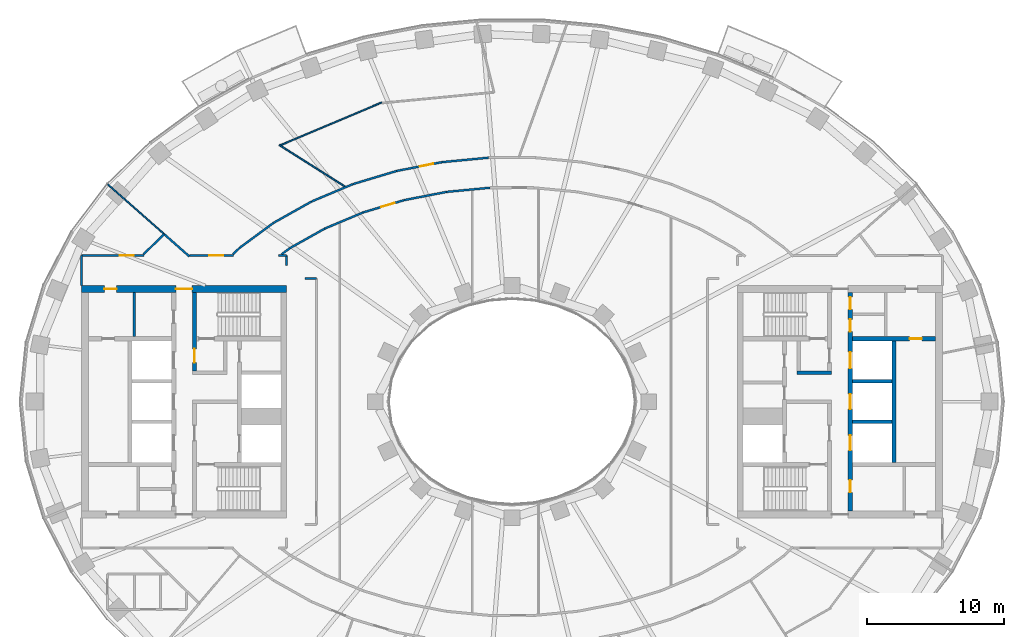
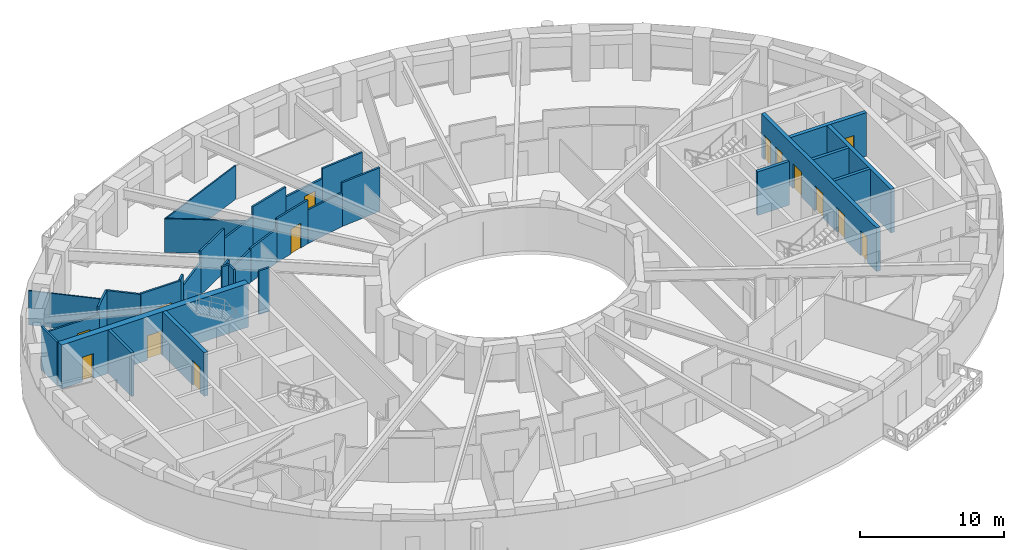
# One storey, part 6 of 16: 33 walls, 14 doors, 14 openings.
"""IFC4 building model written with IfcOpenShell, lengths in metres."""

from ifc_helpers import new_model, si_unit, direction, frame, frame_2d, origin, place, context, subcontext, project, spatial, rectangle, extrude, material, layer, layer_set, type_object, element, fill, save


model = new_model("IFC4")

# Units and contexts
model_context = context("Model", 3, precision=1e-05, world=origin(), true_north=direction((0.0, 1.0)))
body_context = subcontext(model_context, "Body", "Model", "MODEL_VIEW")
ifc_project = project(units=[si_unit("LENGTHUNIT", "METRE"), si_unit("AREAUNIT", "SQUARE_METRE"), si_unit("VOLUMEUNIT", "CUBIC_METRE"), si_unit("PLANEANGLEUNIT", "RADIAN"), si_unit("MASSUNIT", "GRAM", prefix="KILO")], contexts=[model_context])

# Site, building, storey
site_placement = place(None, origin())
site = spatial("IfcSite", under=ifc_project, at=site_placement, CompositionType="ELEMENT")
building_placement = place(site_placement, origin())
building = spatial("IfcBuilding", under=site, at=building_placement, Name="Noorbagh Ring Tower", CompositionType="ELEMENT")
storey_placement = place(building_placement, frame((0.0, 0.0, 116.0)))
storey = spatial("IfcBuildingStorey", under=building, at=storey_placement, Name="L26", CompositionType="ELEMENT", Elevation=116.0)

# Walls
ifc_material_1 = material(Name="Gypsum board on steel studs", Category="steel")
ifc_layer_1 = layer(ifc_material_1, 0.199951171875)
ifc_layer_set_1 = layer_set([ifc_layer_1], Name="Gypsum board on steel studs")
wall_type_1 = type_object("IfcWallType", Name="CORE-PARTITION-200", PredefinedType="PARTITIONING", material=ifc_layer_set_1)
wall_1_placement = place(storey_placement, frame((-27.64990234375, 4.75, 0.0), z_axis=(0.0, 0.0, 1.0), x_axis=(0.0, 1.0, 0.0)))
element("IfcWall", 1, at=wall_1_placement, inside=storey, type_object=wall_type_1, Name="Core partition W", PredefinedType="PARTITIONING", context=body_context, shape_type="SweptSolid", body=[
    extrude(rectangle(XDim=3.25, YDim=0.199951171875, at=frame_2d((1.625, 0.0))), origin(), (0.0, 0.0, 1.0), 3.699951171875),
])
ifc_material_2 = material(Name="Concrete C70/85", Category="concrete")
ifc_layer_2 = layer(ifc_material_2, 0.25)
ifc_layer_set_2 = layer_set([ifc_layer_2], Name="Concrete C70/85")
wall_type_2 = type_object("IfcWallType", Name="CORE-WALL-250-C70-85-EI120", PredefinedType="SHEAR", material=ifc_layer_set_2)
for number, where, z_axis, x_axis, name in (
    (2, (24.89990234375, -1.47509765625, 0.0), (0.0, 0.0, 1.0), (1.0, 0.0, 0.0), "Core wall E"),
    (3, (24.89990234375, 1.47509765625, 0.0), (0.0, 0.0, 1.0), (1.0, 0.0, 0.0), "Core wall E"),
):
    element("IfcWall", number, at=place(storey_placement, frame(where, z_axis=z_axis, x_axis=x_axis)), inside=storey, type_object=wall_type_2, Name=name, PredefinedType="SHEAR", context=body_context, shape_type="SweptSolid", body=[
        extrude(rectangle(XDim=2.900146484375, YDim=0.25, at=frame_2d((1.4501953125, 0.0))), origin(), (0.0, 0.0, 1.0), 3.699951171875),
    ])
ifc_material_3 = material(Name="Concrete C70/85", Category="concrete")
ifc_layer_3 = layer(ifc_material_3, 0.25)
ifc_layer_set_3 = layer_set([ifc_layer_3], Name="Concrete C70/85")
wall_type_3 = type_object("IfcWallType", Name="CORE-WALL-250-C70-85-EI240", PredefinedType="SHEAR", material=ifc_layer_set_3)
wall_2_placement = place(storey_placement, frame((20.85009765625, 2.125, 0.0), z_axis=(0.0, 0.0, 1.0), x_axis=(1.0, 0.0, 0.0)))
element("IfcWall", 4, at=wall_2_placement, inside=storey, type_object=wall_type_3, Name="Core wall E", PredefinedType="SHEAR", context=body_context, shape_type="SweptSolid", body=[
    extrude(rectangle(XDim=2.52978515625, YDim=0.25, at=frame_2d((1.264892578125, 0.0))), origin(), (0.0, 0.0, 1.0), 3.699951171875),
])
ifc_material_4 = material(Name="Concrete C70/85", Category="concrete")
ifc_layer_4 = layer(ifc_material_4, 0.300048828125)
ifc_layer_set_4 = layer_set([ifc_layer_4], Name="Concrete C70/85")
wall_type_4 = type_object("IfcWallType", Name="CORE-WALL-300-C70-85-EI120", PredefinedType="SHEAR", material=ifc_layer_set_4)
wall_3_placement = place(storey_placement, frame((27.949951171875, -4.449951171875, 0.0), z_axis=(0.0, 0.0, 1.0), x_axis=(0.0, 1.0, 0.0)))
element("IfcWall", 5, at=wall_3_placement, inside=storey, type_object=wall_type_4, Name="Core wall E", PredefinedType="SHEAR", context=body_context, shape_type="SweptSolid", body=[
    extrude(rectangle(XDim=8.89990234375, YDim=0.300048828125, at=frame_2d((4.449951171875, 0.0))), origin(), (0.0, 0.0, 1.0), 3.699951171875),
])

# Wall, openings, doors
wall_4_placement = place(storey_placement, frame((24.75, -8.0, 0.0), z_axis=(0.0, 0.0, 1.0), x_axis=(0.0, 1.0, 0.0)))
wall_4 = element("IfcWall", 6, at=wall_4_placement, inside=storey, type_object=wall_type_4, Name="Core wall E", PredefinedType="SHEAR", context=body_context, shape_type="SweptSolid", body=[
    extrude(rectangle(XDim=16.0, YDim=0.300048828125, at=frame_2d((8.0, 0.0))), origin(), (0.0, 0.0, 1.0), 3.699951171875),
])
opening_1_placement = place(wall_4_placement, frame((4.425048828125, 0.0, 0.0)))
opening_1 = element("IfcOpeningElement", 7, at=opening_1_placement, cuts=wall_4, Name="Opening L26-CE02", PredefinedType="OPENING", context=body_context, shape_type="SweptSolid", body=[
    extrude(rectangle(XDim=1.10009765625, YDim=2.10009765625, at=frame_2d((0.550048828125, 1.050048828125))), frame((0.0, 0.16015625, 0.0), z_axis=(0.0, -1.0, 0.0), x_axis=(1.0, 0.0, 0.0)), (0.0, 0.0, 1.0), 0.320068359375),
])
opening_2_placement = place(wall_4_placement, frame((7.449951171875, 0.0, 0.0)))
opening_2 = element("IfcOpeningElement", 8, at=opening_2_placement, cuts=wall_4, Name="Opening L26-CE03", PredefinedType="OPENING", context=body_context, shape_type="SweptSolid", body=[
    extrude(rectangle(XDim=1.10009765625, YDim=2.10009765625, at=frame_2d((0.550048828125, 1.050048828125))), frame((0.0, 0.16015625, 0.0), z_axis=(0.0, -1.0, 0.0), x_axis=(1.0, 0.0, 0.0)), (0.0, 0.0, 1.0), 0.320068359375),
])
opening_3_placement = place(wall_4_placement, frame((10.425048828125, 0.0, 0.0)))
opening_3 = element("IfcOpeningElement", 9, at=opening_3_placement, cuts=wall_4, Name="Opening L26-CE04", PredefinedType="OPENING", context=body_context, shape_type="SweptSolid", body=[
    extrude(rectangle(XDim=1.199951171875, YDim=2.10009765625, at=frame_2d((0.60009765625, 1.050048828125))), frame((0.0, 0.16015625, 0.0), z_axis=(0.0, -1.0, 0.0), x_axis=(1.0, 0.0, 0.0)), (0.0, 0.0, 1.0), 0.320068359375),
])
opening_4_placement = place(wall_4_placement, frame((13.125, 0.0, 0.0)))
opening_4 = element("IfcOpeningElement", 10, at=opening_4_placement, cuts=wall_4, Name="Opening L26-CE13", PredefinedType="OPENING", context=body_context, shape_type="SweptSolid", body=[
    extrude(rectangle(XDim=0.89990234375, YDim=2.10009765625, at=frame_2d((0.449951171875, 1.050048828125))), frame((0.0, 0.16015625, 0.0), z_axis=(0.0, -1.0, 0.0), x_axis=(1.0, 0.0, 0.0)), (0.0, 0.0, 1.0), 0.320068359375),
])
opening_5_placement = place(wall_4_placement, frame((14.75, 0.0, 0.0)))
opening_5 = element("IfcOpeningElement", 11, at=opening_5_placement, cuts=wall_4, Name="Opening L26-CE14", PredefinedType="OPENING", context=body_context, shape_type="SweptSolid", body=[
    extrude(rectangle(XDim=0.89990234375, YDim=2.10009765625, at=frame_2d((0.449951171875, 1.050048828125))), frame((0.0, 0.16015625, 0.0), z_axis=(0.0, -1.0, 0.0), x_axis=(1.0, 0.0, 0.0)), (0.0, 0.0, 1.0), 0.320068359375),
])
opening_6_placement = place(wall_4_placement, frame((1.35009765625, 0.0, 0.0)))
opening_6 = element("IfcOpeningElement", 12, at=opening_6_placement, cuts=wall_4, Name="Opening L26-CE16", PredefinedType="OPENING", context=body_context, shape_type="SweptSolid", body=[
    extrude(rectangle(XDim=0.89990234375, YDim=2.10009765625, at=frame_2d((0.449951171875, 1.050048828125))), frame((0.0, 0.16015625, 0.0), z_axis=(0.0, -1.0, 0.0), x_axis=(1.0, 0.0, 0.0)), (0.0, 0.0, 1.0), 0.320068359375),
])
ifc_material_5 = material(Name="Steel door leaf", Category="steel")
door_type_1 = type_object("IfcDoorType", Name="CORE-DOOR-DROOM", OperationType="SINGLE_SWING_LEFT", PredefinedType="DOOR", material=ifc_material_5)
door_1_placement = place(opening_4_placement, origin())
door_1 = element("IfcDoor", 13, at=door_1_placement, inside=storey, type_object=door_type_1, Name="Core room door L26-CE13", OperationType="SINGLE_SWING_RIGHT", OverallHeight=2.10009765625, OverallWidth=0.89990234375, PredefinedType="DOOR", context=body_context, shape_type="SweptSolid", body=[
    extrude(rectangle(XDim=0.89990234375, YDim=2.10009765625, at=frame_2d((0.449951171875, 1.050048828125))), frame((0.0, 0.02490234375, 0.0), z_axis=(0.0, -1.0, 0.0), x_axis=(1.0, 0.0, 0.0)), (0.0, 0.0, 1.0), 0.050048828125),
])
fill(opening_4, door_1)
door_2_placement = place(opening_5_placement, origin())
door_2 = element("IfcDoor", 14, at=door_2_placement, inside=storey, type_object=door_type_1, Name="Core room door L26-CE14", OperationType="SINGLE_SWING_LEFT", OverallHeight=2.10009765625, OverallWidth=0.89990234375, PredefinedType="DOOR", context=body_context, shape_type="SweptSolid", body=[
    extrude(rectangle(XDim=0.89990234375, YDim=2.10009765625, at=frame_2d((0.449951171875, 1.050048828125))), frame((0.0, 0.02490234375, 0.0), z_axis=(0.0, -1.0, 0.0), x_axis=(1.0, 0.0, 0.0)), (0.0, 0.0, 1.0), 0.050048828125),
])
fill(opening_5, door_2)
door_3_placement = place(opening_6_placement, origin())
door_3 = element("IfcDoor", 15, at=door_3_placement, inside=storey, type_object=door_type_1, Name="Core room door L26-CE16", OperationType="SINGLE_SWING_RIGHT", OverallHeight=2.10009765625, OverallWidth=0.89990234375, PredefinedType="DOOR", context=body_context, shape_type="SweptSolid", body=[
    extrude(rectangle(XDim=0.89990234375, YDim=2.10009765625, at=frame_2d((0.449951171875, 1.050048828125))), frame((0.0, 0.02490234375, 0.0), z_axis=(0.0, -1.0, 0.0), x_axis=(1.0, 0.0, 0.0)), (0.0, 0.0, 1.0), 0.050048828125),
])
fill(opening_6, door_3)
ifc_material_6 = material(Name="Steel door leaf", Category="steel")
door_type_2 = type_object("IfcDoorType", Name="CORE-DOOR-LD", OperationType="DOUBLE_DOOR_SLIDING", PredefinedType="DOOR", material=ifc_material_6)
door_4_placement = place(opening_1_placement, origin())
door_4 = element("IfcDoor", 16, at=door_4_placement, inside=storey, type_object=door_type_2, Name="Landing door LR3 L26-CE02", OperationType="DOUBLE_DOOR_SLIDING", OverallHeight=2.10009765625, OverallWidth=1.10009765625, PredefinedType="DOOR", context=body_context, shape_type="SweptSolid", body=[
    extrude(rectangle(XDim=1.10009765625, YDim=2.10009765625, at=frame_2d((0.550048828125, 1.050048828125))), frame((0.0, 0.02490234375, 0.0), z_axis=(0.0, -1.0, 0.0), x_axis=(1.0, 0.0, 0.0)), (0.0, 0.0, 1.0), 0.050048828125),
])
fill(opening_1, door_4)
door_5_placement = place(opening_2_placement, origin())
door_5 = element("IfcDoor", 17, at=door_5_placement, inside=storey, type_object=door_type_2, Name="Landing door LR4 L26-CE03", OperationType="DOUBLE_DOOR_SLIDING", OverallHeight=2.10009765625, OverallWidth=1.10009765625, PredefinedType="DOOR", context=body_context, shape_type="SweptSolid", body=[
    extrude(rectangle(XDim=1.10009765625, YDim=2.10009765625, at=frame_2d((0.550048828125, 1.050048828125))), frame((0.0, 0.02490234375, 0.0), z_axis=(0.0, -1.0, 0.0), x_axis=(1.0, 0.0, 0.0)), (0.0, 0.0, 1.0), 0.050048828125),
])
fill(opening_2, door_5)
ifc_material_7 = material(Name="Steel door leaf", Category="steel")
door_type_3 = type_object("IfcDoorType", Name="CORE-DOOR-LDW", OperationType="DOUBLE_DOOR_SLIDING", PredefinedType="DOOR", material=ifc_material_7)
door_6_placement = place(opening_3_placement, origin())
door_6 = element("IfcDoor", 18, at=door_6_placement, inside=storey, type_object=door_type_3, Name="Landing door SV2 L26-CE04", OperationType="DOUBLE_DOOR_SLIDING", OverallHeight=2.10009765625, OverallWidth=1.199951171875, PredefinedType="DOOR", context=body_context, shape_type="SweptSolid", body=[
    extrude(rectangle(XDim=1.199951171875, YDim=2.10009765625, at=frame_2d((0.60009765625, 1.050048828125))), frame((0.0, 0.02490234375, 0.0), z_axis=(0.0, -1.0, 0.0), x_axis=(1.0, 0.0, 0.0)), (0.0, 0.0, 1.0), 0.050048828125),
])
fill(opening_3, door_6)

# Wall, opening, door
ifc_material_8 = material(Name="Concrete C70/85", Category="concrete")
ifc_layer_5 = layer(ifc_material_8, 0.300048828125)
ifc_layer_set_5 = layer_set([ifc_layer_5], Name="Concrete C70/85")
wall_type_5 = type_object("IfcWallType", Name="CORE-WALL-300-C70-85-EI240", PredefinedType="SHEAR", material=ifc_layer_set_5)
wall_5_placement = place(storey_placement, frame((-23.22998046875, 2.25, 0.0), z_axis=(0.0, 0.0, 1.0), x_axis=(0.0, 1.0, 0.0)))
wall_5 = element("IfcWall", 19, at=wall_5_placement, inside=storey, type_object=wall_type_5, Name="Core wall W", PredefinedType="SHEAR", context=body_context, shape_type="SweptSolid", body=[
    extrude(rectangle(XDim=5.75, YDim=0.300048828125, at=frame_2d((2.875, 0.0))), origin(), (0.0, 0.0, 1.0), 3.699951171875),
])
opening_7_placement = place(wall_5_placement, frame((0.60009765625, 0.0, 0.0)))
opening_7 = element("IfcOpeningElement", 20, at=opening_7_placement, cuts=wall_5, Name="Opening L26-CW08", PredefinedType="OPENING", context=body_context, shape_type="SweptSolid", body=[
    extrude(rectangle(XDim=1.0, YDim=2.10009765625, at=frame_2d((0.5, 1.050048828125))), frame((0.0, 0.16015625, 0.0), z_axis=(0.0, -1.0, 0.0), x_axis=(1.0, 0.0, 0.0)), (0.0, 0.0, 1.0), 0.320068359375),
])
ifc_material_9 = material(Name="Steel door leaf", Category="steel")
door_type_4 = type_object("IfcDoorType", Name="CORE-DOOR-DVEST", OperationType="SINGLE_SWING_LEFT", PredefinedType="DOOR", material=ifc_material_9)
door_7_placement = place(opening_7_placement, origin())
door_7 = element("IfcDoor", 21, at=door_7_placement, inside=storey, type_object=door_type_4, Name="Stair vestibule door L26-CW08", OperationType="SINGLE_SWING_LEFT", OverallHeight=2.10009765625, OverallWidth=1.0, PredefinedType="DOOR", context=body_context, shape_type="SweptSolid", body=[
    extrude(rectangle(XDim=1.0, YDim=2.10009765625, at=frame_2d((0.5, 1.050048828125))), frame((0.0, 0.02490234375, 0.0), z_axis=(0.0, -1.0, 0.0), x_axis=(1.0, 0.0, 0.0)), (0.0, 0.0, 1.0), 0.050048828125),
])
fill(opening_7, door_7)

wall_6_placement = place(storey_placement, frame((24.89990234375, 4.60009765625, 0.0), z_axis=(0.0, 0.0, 1.0), x_axis=(1.0, 0.0, 0.0)))
wall_6 = element("IfcWall", 22, at=wall_6_placement, inside=storey, type_object=wall_type_5, Name="Core wall E", PredefinedType="SHEAR", context=body_context, shape_type="SweptSolid", body=[
    extrude(rectangle(XDim=6.10009765625, YDim=0.300048828125, at=frame_2d((3.050048828125, 0.0))), origin(), (0.0, 0.0, 1.0), 3.699951171875),
])
opening_8_placement = place(wall_6_placement, frame((4.199951171875, 0.0, 0.0)))
opening_8 = element("IfcOpeningElement", 23, at=opening_8_placement, cuts=wall_6, Name="Opening L26-CE18", PredefinedType="OPENING", context=body_context, shape_type="SweptSolid", body=[
    extrude(rectangle(XDim=0.89990234375, YDim=2.10009765625, at=frame_2d((0.449951171875, 1.050048828125))), frame((0.0, 0.16015625, 0.0), z_axis=(0.0, -1.0, 0.0), x_axis=(1.0, 0.0, 0.0)), (0.0, 0.0, 1.0), 0.320068359375),
])
door_8_placement = place(opening_8_placement, origin())
door_8 = element("IfcDoor", 24, at=door_8_placement, inside=storey, type_object=door_type_1, Name="Core room door L26-CE18", OperationType="SINGLE_SWING_RIGHT", OverallHeight=2.10009765625, OverallWidth=0.89990234375, PredefinedType="DOOR", context=body_context, shape_type="SweptSolid", body=[
    extrude(rectangle(XDim=0.89990234375, YDim=2.10009765625, at=frame_2d((0.449951171875, 1.050048828125))), frame((0.0, 0.02490234375, 0.0), z_axis=(0.0, -1.0, 0.0), x_axis=(1.0, 0.0, 0.0)), (0.0, 0.0, 1.0), 0.050048828125),
])
fill(opening_8, door_8)

# Wall, openings, doors
ifc_material_10 = material(Name="Concrete C70/85", Category="concrete")
ifc_layer_6 = layer(ifc_material_10, 0.5)
ifc_layer_set_6 = layer_set([ifc_layer_6], Name="Concrete C70/85")
wall_type_6 = type_object("IfcWallType", Name="CORE-WALL-500-C70-85-EI240", PredefinedType="SHEAR", material=ifc_layer_set_6)
wall_7_placement = place(storey_placement, frame((-16.5, 8.25, 0.0), z_axis=(0.0, 0.0, 1.0), x_axis=(-1.0, 0.0, 0.0)))
wall_7 = element("IfcWall", 25, at=wall_7_placement, inside=storey, type_object=wall_type_6, Name="Core wall W", PredefinedType="SHEAR", context=body_context, shape_type="SweptSolid", body=[
    extrude(rectangle(XDim=15.0, YDim=0.5, at=frame_2d((7.5, 0.0))), origin(), (0.0, 0.0, 1.0), 3.699951171875),
])
opening_9_placement = place(wall_7_placement, frame((6.89990234375, 0.0, 0.0)))
opening_9 = element("IfcOpeningElement", 26, at=opening_9_placement, cuts=wall_7, Name="Opening L26-CW09", PredefinedType="OPENING", context=body_context, shape_type="SweptSolid", body=[
    extrude(rectangle(XDim=1.199951171875, YDim=2.10009765625, at=frame_2d((0.60009765625, 1.050048828125))), frame((0.0, 0.260009765625, 0.0), z_axis=(0.0, -1.0, 0.0), x_axis=(1.0, 0.0, 0.0)), (0.0, 0.0, 1.0), 0.52001953125),
])
opening_10_placement = place(wall_7_placement, frame((12.425048828125, 0.0, 0.0)))
opening_10 = element("IfcOpeningElement", 27, at=opening_10_placement, cuts=wall_7, Name="Opening L26-CW13", PredefinedType="OPENING", context=body_context, shape_type="SweptSolid", body=[
    extrude(rectangle(XDim=0.89990234375, YDim=2.10009765625, at=frame_2d((0.449951171875, 1.050048828125))), frame((0.0, 0.260009765625, 0.0), z_axis=(0.0, -1.0, 0.0), x_axis=(1.0, 0.0, 0.0)), (0.0, 0.0, 1.0), 0.52001953125),
])
door_9_placement = place(opening_10_placement, origin())
door_9 = element("IfcDoor", 28, at=door_9_placement, inside=storey, type_object=door_type_1, Name="Core room door L26-CW13", OperationType="SINGLE_SWING_RIGHT", OverallHeight=2.10009765625, OverallWidth=0.89990234375, PredefinedType="DOOR", context=body_context, shape_type="SweptSolid", body=[
    extrude(rectangle(XDim=0.89990234375, YDim=2.10009765625, at=frame_2d((0.449951171875, 1.050048828125))), frame((0.0, 0.02490234375, 0.0), z_axis=(0.0, -1.0, 0.0), x_axis=(1.0, 0.0, 0.0)), (0.0, 0.0, 1.0), 0.050048828125),
])
fill(opening_10, door_9)
ifc_material_11 = material(Name="Steel door leaf", Category="steel")
door_type_5 = type_object("IfcDoorType", Name="CORE-DOOR-PORT", OperationType="DOUBLE_DOOR_DOUBLE_SWING", PredefinedType="DOOR", material=ifc_material_11)
door_10_placement = place(opening_9_placement, origin())
door_10 = element("IfcDoor", 29, at=door_10_placement, inside=storey, type_object=door_type_5, Name="Core entrance door L26-CW09", OperationType="DOUBLE_DOOR_DOUBLE_SWING", OverallHeight=2.10009765625, OverallWidth=1.199951171875, PredefinedType="DOOR", context=body_context, shape_type="SweptSolid", body=[
    extrude(rectangle(XDim=1.199951171875, YDim=2.10009765625, at=frame_2d((0.60009765625, 1.050048828125))), frame((0.0, 0.02490234375, 0.0), z_axis=(0.0, -1.0, 0.0), x_axis=(1.0, 0.0, 0.0)), (0.0, 0.0, 1.0), 0.050048828125),
])
fill(opening_9, door_10)

# Wall
ifc_material_12 = material(Name="Gypsum board on steel studs", Category="steel")
ifc_layer_7 = layer(ifc_material_12, 0.14990234375)
ifc_layer_set_7 = layer_set([ifc_layer_7], Name="Gypsum board on steel studs")
wall_type_7 = type_object("IfcWallType", Name="CORRIDOR PARTITION 150 EI 30", PredefinedType="PARTITIONING", material=ifc_layer_set_7)
wall_8_placement = place(storey_placement, frame((-31.5, 8.5, 0.0), z_axis=(0.0, 0.0, 1.0), x_axis=(0.0, 1.0, 0.0)))
element("IfcWall", 30, at=wall_8_placement, inside=storey, type_object=wall_type_7, Name="L26/wall/P04", PredefinedType="PARTITIONING", context=body_context, shape_type="SweptSolid", body=[
    extrude(rectangle(XDim=2.199951171875, YDim=0.14990234375, at=frame_2d((1.10009765625, 0.0))), origin(), (0.0, 0.0, 1.0), 3.699951171875),
])

# Wall, opening, door
wall_9_placement = place(storey_placement, frame((-31.5, 10.699951171875, 0.0), z_axis=(0.0, 0.0, 1.0), x_axis=(1.0, 0.0, 0.0)))
wall_9 = element("IfcWall", 31, at=wall_9_placement, inside=storey, type_object=wall_type_7, Name="L26/wall/P05", PredefinedType="PARTITIONING", context=body_context, shape_type="SweptSolid", body=[
    extrude(rectangle(XDim=4.56298828125, YDim=0.14990234375, at=frame_2d((2.281494140625, 0.0))), origin(), (0.0, 0.0, 1.0), 3.10009765625),
])
opening_11_placement = place(wall_9_placement, frame((2.805908203125, 0.0, 0.0)))
opening_11 = element("IfcOpeningElement", 32, at=opening_11_placement, cuts=wall_9, Name="Opening D1", PredefinedType="OPENING", context=body_context, shape_type="SweptSolid", body=[
    extrude(rectangle(XDim=1.0, YDim=2.10009765625, at=frame_2d((0.5, 1.050048828125))), frame((0.0, 0.0849609375, 0.0), z_axis=(0.0, -1.0, 0.0), x_axis=(1.0, 0.0, 0.0)), (0.0, 0.0, 1.0), 0.169921875),
])
ifc_material_13 = material(Name="Timber, painted", Category="wood")
door_type_6 = type_object("IfcDoorType", Name="DOOR 1000 X 2100 FD30", OperationType="SINGLE_SWING_LEFT", PredefinedType="DOOR", material=ifc_material_13)
door_11_placement = place(opening_11_placement, origin())
door_11 = element("IfcDoor", 33, at=door_11_placement, inside=storey, type_object=door_type_6, Name="L26-D05", OperationType="SINGLE_SWING_LEFT", OverallHeight=2.10009765625, OverallWidth=1.0, PredefinedType="DOOR", context=body_context, shape_type="SweptSolid", body=[
    extrude(rectangle(XDim=1.0, YDim=2.10009765625, at=frame_2d((0.5, 1.050048828125))), frame((0.0, 0.02490234375, 0.0), z_axis=(0.0, -1.0, 0.0), x_axis=(1.0, 0.0, 0.0)), (0.0, 0.0, 1.0), 0.050048828125),
])
fill(opening_11, door_11)

# Walls
wall_10_placement = place(storey_placement, frame((-26.964111328125, 10.777099609375, 0.0), z_axis=(0.0, 0.0, 1.0), x_axis=(0.714923203438, 0.699202984251, 0.0)))
element("IfcWall", 34, at=wall_10_placement, inside=storey, type_object=wall_type_7, Name="L26/wall/P12", PredefinedType="PARTITIONING", context=body_context, shape_type="SweptSolid", body=[
    extrude(rectangle(XDim=2.112060546875, YDim=0.14990234375, at=frame_2d((1.05615234375, 0.0))), origin(), (0.0, 0.0, 1.0), 3.699951171875),
])
wall_11_placement = place(storey_placement, frame((-25.4541015625, 12.25390625, 0.0), z_axis=(0.0, 0.0, 1.0), x_axis=(0.74918446265, -0.662361412617, 0.0)))
element("IfcWall", 35, at=wall_11_placement, inside=storey, type_object=wall_type_7, Name="L26/wall/P15", PredefinedType="PARTITIONING", context=body_context, shape_type="SweptSolid", body=[
    extrude(rectangle(XDim=2.454833984375, YDim=0.14990234375, at=frame_2d((1.2275390625, 0.0))), origin(), (0.0, 0.0, 1.0), 3.699951171875),
])

# Wall, opening, door
wall_12_placement = place(storey_placement, frame((-23.583984375, 10.699951171875, 0.0), z_axis=(0.0, 0.0, 1.0), x_axis=(1.0, 0.0, 0.0)))
wall_12 = element("IfcWall", 36, at=wall_12_placement, inside=storey, type_object=wall_type_7, Name="L26/wall/P17", PredefinedType="PARTITIONING", context=body_context, shape_type="SweptSolid", body=[
    extrude(rectangle(XDim=3.197021484375, YDim=0.14990234375, at=frame_2d((1.5986328125, 0.0))), origin(), (0.0, 0.0, 1.0), 3.699951171875),
])
opening_12_placement = place(wall_12_placement, frame((1.43896484375, 0.0, 0.0)))
opening_12 = element("IfcOpeningElement", 37, at=opening_12_placement, cuts=wall_12, Name="Opening D1", PredefinedType="OPENING", context=body_context, shape_type="SweptSolid", body=[
    extrude(rectangle(XDim=1.0, YDim=2.10009765625, at=frame_2d((0.5, 1.050048828125))), frame((0.0, 0.0849609375, 0.0), z_axis=(0.0, -1.0, 0.0), x_axis=(1.0, 0.0, 0.0)), (0.0, 0.0, 1.0), 0.169921875),
])
door_12_placement = place(opening_12_placement, origin())
door_12 = element("IfcDoor", 38, at=door_12_placement, inside=storey, type_object=door_type_6, Name="L26-D07", OperationType="SINGLE_SWING_LEFT", OverallHeight=2.10009765625, OverallWidth=1.0, PredefinedType="DOOR", context=body_context, shape_type="SweptSolid", body=[
    extrude(rectangle(XDim=1.0, YDim=2.10009765625, at=frame_2d((0.5, 1.050048828125))), frame((0.0, 0.02490234375, 0.0), z_axis=(0.0, -1.0, 0.0), x_axis=(1.0, 0.0, 0.0)), (0.0, 0.0, 1.0), 0.050048828125),
])
fill(opening_12, door_12)

# Walls
wall_13_placement = place(storey_placement, frame((-20.41796875, 10.77490234375, 0.0), z_axis=(0.0, 0.0, 1.0), x_axis=(0.717033879939, 0.697038316751, 0.0)))
element("IfcWall", 39, at=wall_13_placement, inside=storey, type_object=wall_type_7, Name="L26/wall/P20", PredefinedType="PARTITIONING", context=body_context, shape_type="SweptSolid", body=[
    extrude(rectangle(XDim=0.696044921875, YDim=0.14990234375, at=frame_2d((0.34814453125, 0.0))), origin(), (0.0, 0.0, 1.0), 3.699951171875),
])
wall_14_placement = place(storey_placement, frame((-19.9189453125, 11.260009765625, 0.0), z_axis=(0.0, 0.0, 1.0), x_axis=(0.805185638843, 0.593022838516, 0.0)))
element("IfcWall", 40, at=wall_14_placement, inside=storey, type_object=wall_type_7, Name="L26/wall/P21", PredefinedType="PARTITIONING", context=body_context, shape_type="SweptSolid", body=[
    extrude(rectangle(XDim=3.072509765625, YDim=0.14990234375, at=frame_2d((1.5361328125, 0.0))), origin(), (0.0, 0.0, 1.0), 2.75),
])
wall_15_placement = place(storey_placement, frame((-17.445068359375, 13.08203125, 0.0), z_axis=(0.0, 0.0, 1.0), x_axis=(0.872072095629, 0.489377420837, 0.0)))
element("IfcWall", 41, at=wall_15_placement, inside=storey, type_object=wall_type_7, Name="L26/wall/P24", PredefinedType="PARTITIONING", context=body_context, shape_type="SweptSolid", body=[
    extrude(rectangle(XDim=3.187744140625, YDim=0.14990234375, at=frame_2d((1.59375, 0.0))), origin(), (0.0, 0.0, 1.0), 3.699951171875),
])
wall_16_placement = place(storey_placement, frame((-17.094970703125, 10.699951171875, 0.0), z_axis=(0.0, 0.0, 1.0), x_axis=(1.0, 0.0, 0.0)))
element("IfcWall", 42, at=wall_16_placement, inside=storey, type_object=wall_type_7, Name="L26/wall/P29", PredefinedType="PARTITIONING", context=body_context, shape_type="SweptSolid", body=[
    extrude(rectangle(XDim=0.594970703125, YDim=0.14990234375, at=frame_2d((0.29736328125, 0.0))), origin(), (0.0, 0.0, 1.0), 3.699951171875),
])
wall_17_placement = place(storey_placement, frame((-16.866943359375, 10.77490234375, 0.0), z_axis=(0.0, 0.0, 1.0), x_axis=(0.804751563869, 0.593611759023, 0.0)))
element("IfcWall", 43, at=wall_17_placement, inside=storey, type_object=wall_type_7, Name="L26/wall/P30", PredefinedType="PARTITIONING", context=body_context, shape_type="SweptSolid", body=[
    extrude(rectangle(XDim=0.7666015625, YDim=0.14990234375, at=frame_2d((0.38330078125, 0.0))), origin(), (0.0, 0.0, 1.0), 3.699951171875),
])
wall_18_placement = place(storey_placement, frame((-16.5, 9.964111328125, 0.0), z_axis=(0.0, 0.0, 1.0), x_axis=(0.0, 1.0, 0.0)))
element("IfcWall", 44, at=wall_18_placement, inside=storey, type_object=wall_type_7, Name="L26/wall/P32", PredefinedType="PARTITIONING", context=body_context, shape_type="SweptSolid", body=[
    extrude(rectangle(XDim=0.73583984375, YDim=0.14990234375, at=frame_2d((0.367919921875, 0.0))), origin(), (0.0, 0.0, 1.0), 3.699951171875),
])
wall_19_placement = place(storey_placement, frame((-16.25, 11.22998046875, 0.0), z_axis=(0.0, 0.0, 1.0), x_axis=(0.872147381065, 0.489243237767, 0.0)))
element("IfcWall", 45, at=wall_19_placement, inside=storey, type_object=wall_type_7, Name="L26/wall/P34", PredefinedType="PARTITIONING", context=body_context, shape_type="SweptSolid", body=[
    extrude(rectangle(XDim=2.92724609375, YDim=0.14990234375, at=frame_2d((1.463623046875, 0.0))), origin(), (0.0, 0.0, 1.0), 2.75),
])
wall_20_placement = place(storey_placement, frame((-15.134033203125, 9.0, 0.0), z_axis=(0.0, 0.0, 1.0), x_axis=(1.0, 0.0, 0.0)))
element("IfcWall", 46, at=wall_20_placement, inside=storey, type_object=wall_type_7, Name="L26/wall/P36", PredefinedType="PARTITIONING", context=body_context, shape_type="SweptSolid", body=[
    extrude(rectangle(XDim=0.833984375, YDim=0.14990234375, at=frame_2d((0.4169921875, 0.0))), origin(), (0.0, 0.0, 1.0), 3.699951171875),
])
wall_21_placement = place(storey_placement, frame((-14.6650390625, 14.64208984375, 0.0), z_axis=(0.0, 0.0, 1.0), x_axis=(0.921789499058, 0.38769075231, 0.0)))
element("IfcWall", 47, at=wall_21_placement, inside=storey, type_object=wall_type_7, Name="L26/wall/P39", PredefinedType="PARTITIONING", context=body_context, shape_type="SweptSolid", body=[
    extrude(rectangle(XDim=3.2783203125, YDim=0.14990234375, at=frame_2d((1.63916015625, 0.0))), origin(), (0.0, 0.0, 1.0), 2.85009765625),
])
wall_22_placement = place(storey_placement, frame((-13.697021484375, 12.662109375, 0.0), z_axis=(0.0, 0.0, 1.0), x_axis=(0.921751821358, 0.387780324183, 0.0)))
element("IfcWall", 48, at=wall_22_placement, inside=storey, type_object=wall_type_7, Name="L26/wall/P42", PredefinedType="PARTITIONING", context=body_context, shape_type="SweptSolid", body=[
    extrude(rectangle(XDim=3.037841796875, YDim=0.14990234375, at=frame_2d((1.51904296875, 0.0))), origin(), (0.0, 0.0, 1.0), 2.85009765625),
])
wall_23_placement = place(storey_placement, frame((-11.64306640625, 15.9130859375, 0.0), z_axis=(0.0, 0.0, 1.0), x_axis=(0.957584891346, 0.288151307243, 0.0)))
element("IfcWall", 49, at=wall_23_placement, inside=storey, type_object=wall_type_7, Name="L26/wall/P47", PredefinedType="PARTITIONING", context=body_context, shape_type="SweptSolid", body=[
    extrude(rectangle(XDim=3.344970703125, YDim=0.14990234375, at=frame_2d((1.67236328125, 0.0))), origin(), (0.0, 0.0, 1.0), 3.699951171875),
])

# Wall, opening, door
wall_24_placement = place(storey_placement, frame((-10.89697265625, 13.840087890625, 0.0), z_axis=(0.0, 0.0, 1.0), x_axis=(0.957606118849, 0.28808075455, 0.0)))
wall_24 = element("IfcWall", 50, at=wall_24_placement, inside=storey, type_object=wall_type_7, Name="L26/wall/P49", PredefinedType="PARTITIONING", context=body_context, shape_type="SweptSolid", body=[
    extrude(rectangle(XDim=3.116943359375, YDim=0.14990234375, at=frame_2d((1.55859375, 0.0))), origin(), (0.0, 0.0, 1.0), 3.699951171875),
])
opening_13_placement = place(wall_24_placement, frame((1.39990234375, 0.0, 0.0)))
opening_13 = element("IfcOpeningElement", 51, at=opening_13_placement, cuts=wall_24, Name="Opening D1", PredefinedType="OPENING", context=body_context, shape_type="SweptSolid", body=[
    extrude(rectangle(XDim=1.0, YDim=2.10009765625, at=frame_2d((0.5, 1.050048828125))), frame((0.0, 0.0849609375, 0.0), z_axis=(0.0, -1.0, 0.0), x_axis=(1.0, 0.0, 0.0)), (0.0, 0.0, 1.0), 0.169921875),
])
door_13_placement = place(opening_13_placement, origin())
door_13 = element("IfcDoor", 52, at=door_13_placement, inside=storey, type_object=door_type_6, Name="L26-D20", OperationType="SINGLE_SWING_RIGHT", OverallHeight=2.10009765625, OverallWidth=1.0, PredefinedType="DOOR", context=body_context, shape_type="SweptSolid", body=[
    extrude(rectangle(XDim=1.0, YDim=2.10009765625, at=frame_2d((0.5, 1.050048828125))), frame((0.0, 0.02490234375, 0.0), z_axis=(0.0, -1.0, 0.0), x_axis=(1.0, 0.0, 0.0)), (0.0, 0.0, 1.0), 0.050048828125),
])
fill(opening_13, door_13)

wall_25_placement = place(storey_placement, frame((-8.43994140625, 16.876953125, 0.0), z_axis=(0.0, 0.0, 1.0), x_axis=(0.981665220565, 0.190613207134, 0.0)))
wall_25 = element("IfcWall", 53, at=wall_25_placement, inside=storey, type_object=wall_type_7, Name="L26/wall/P52", PredefinedType="PARTITIONING", context=body_context, shape_type="SweptSolid", body=[
    extrude(rectangle(XDim=3.38916015625, YDim=0.14990234375, at=frame_2d((1.694580078125, 0.0))), origin(), (0.0, 0.0, 1.0), 2.85009765625),
])
opening_14_placement = place(wall_25_placement, frame((1.739013671875, 0.0, 0.0)))
opening_14 = element("IfcOpeningElement", 54, at=opening_14_placement, cuts=wall_25, Name="Opening D1", PredefinedType="OPENING", context=body_context, shape_type="SweptSolid", body=[
    extrude(rectangle(XDim=1.0, YDim=2.10009765625, at=frame_2d((0.5, 1.050048828125))), frame((0.0, 0.0849609375, 0.0), z_axis=(0.0, -1.0, 0.0), x_axis=(1.0, 0.0, 0.0)), (0.0, 0.0, 1.0), 0.169921875),
])
door_14_placement = place(opening_14_placement, origin())
door_14 = element("IfcDoor", 55, at=door_14_placement, inside=storey, type_object=door_type_6, Name="L26-D09", OperationType="SINGLE_SWING_LEFT", OverallHeight=2.10009765625, OverallWidth=1.0, PredefinedType="DOOR", context=body_context, shape_type="SweptSolid", body=[
    extrude(rectangle(XDim=1.0, YDim=2.10009765625, at=frame_2d((0.5, 1.050048828125))), frame((0.0, 0.02490234375, 0.0), z_axis=(0.0, -1.0, 0.0), x_axis=(1.0, 0.0, 0.0)), (0.0, 0.0, 1.0), 0.050048828125),
])
fill(opening_14, door_14)

# Walls
wall_26_placement = place(storey_placement, frame((-7.912109375, 14.738037109375, 0.0), z_axis=(0.0, 0.0, 1.0), x_axis=(0.981588545092, 0.191007665145, 0.0)))
element("IfcWall", 56, at=wall_26_placement, inside=storey, type_object=wall_type_7, Name="L26/wall/P54", PredefinedType="PARTITIONING", context=body_context, shape_type="SweptSolid", body=[
    extrude(rectangle(XDim=3.17236328125, YDim=0.14990234375, at=frame_2d((1.586181640625, 0.0))), origin(), (0.0, 0.0, 1.0), 2.85009765625),
])
wall_27_placement = place(storey_placement, frame((-5.113037109375, 17.52294921875, 0.0), z_axis=(0.0, 0.0, 1.0), x_axis=(0.995466844572, 0.095109207532, 0.0)))
element("IfcWall", 57, at=wall_27_placement, inside=storey, type_object=wall_type_7, Name="L26/wall/P56", PredefinedType="PARTITIONING", context=body_context, shape_type="SweptSolid", body=[
    extrude(rectangle(XDim=3.41650390625, YDim=0.14990234375, at=frame_2d((1.708251953125, 0.0))), origin(), (0.0, 0.0, 1.0), 3.699951171875),
])
wall_28_placement = place(storey_placement, frame((-4.798095703125, 15.343994140625, 0.0), z_axis=(0.0, 0.0, 1.0), x_axis=(0.995491705426, 0.09484863957, 0.0)))
element("IfcWall", 58, at=wall_28_placement, inside=storey, type_object=wall_type_7, Name="L26/wall/P58", PredefinedType="PARTITIONING", context=body_context, shape_type="SweptSolid", body=[
    extrude(rectangle(XDim=3.20458984375, YDim=0.14990234375, at=frame_2d((1.602294921875, 0.0))), origin(), (0.0, 0.0, 1.0), 3.699951171875),
])
ifc_material_14 = material(Name="Gypsum board on steel studs", Category="steel")
ifc_layer_8 = layer(ifc_material_14, 0.10009765625)
ifc_layer_set_8 = layer_set([ifc_layer_8], Name="Gypsum board on steel studs")
wall_type_8 = type_object("IfcWallType", Name="PARTITION 100 GYPSUM", PredefinedType="PARTITIONING", material=ifc_layer_set_8)
wall_29_placement = place(storey_placement, frame((-29.569091796875, 15.89501953125, 0.0), z_axis=(0.0, 0.0, 1.0), x_axis=(0.74891259533, -0.662668789484, 0.0)))
element("IfcWall", 59, at=wall_29_placement, inside=storey, type_object=wall_type_8, Name="L26/wall/P09", PredefinedType="PARTITIONING", context=body_context, shape_type="SweptSolid", body=[
    extrude(rectangle(XDim=5.49462890625, YDim=0.10009765625, at=frame_2d((2.747314453125, 0.0))), origin(), (0.0, 0.0, 1.0), 2.89990234375),
])
wall_30_placement = place(storey_placement, frame((-17.027099609375, 18.777099609375, 0.0), z_axis=(0.0, 0.0, 1.0), x_axis=(0.844786602714, -0.535103350648, 0.0)))
element("IfcWall", 60, at=wall_30_placement, inside=storey, type_object=wall_type_8, Name="L26/wall/P25", PredefinedType="PARTITIONING", context=body_context, shape_type="SweptSolid", body=[
    extrude(rectangle(XDim=5.664306640625, YDim=0.10009765625, at=frame_2d((2.83203125, 0.0))), origin(), (0.0, 0.0, 1.0), 2.85009765625),
])
wall_31_placement = place(storey_placement, frame((-16.919921875, 18.76806640625, 0.0), z_axis=(0.0, 0.0, 1.0), x_axis=(0.921120541754, 0.389277468599, 0.0)))
element("IfcWall", 61, at=wall_31_placement, inside=storey, type_object=wall_type_8, Name="L26/wall/P26", PredefinedType="PARTITIONING", context=body_context, shape_type="SweptSolid", body=[
    extrude(rectangle(XDim=8.01953125, YDim=0.10009765625, at=frame_2d((4.009765625, 0.0))), origin(), (0.0, 0.0, 1.0), 2.85009765625),
])

save(model, "model.ifc")
